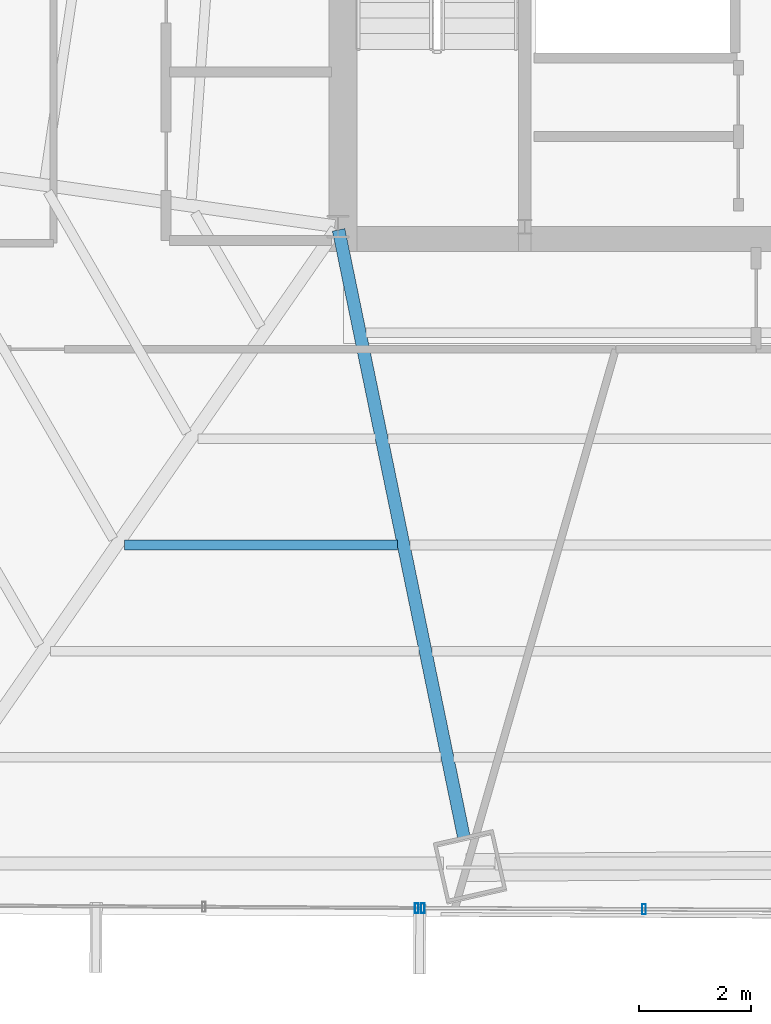
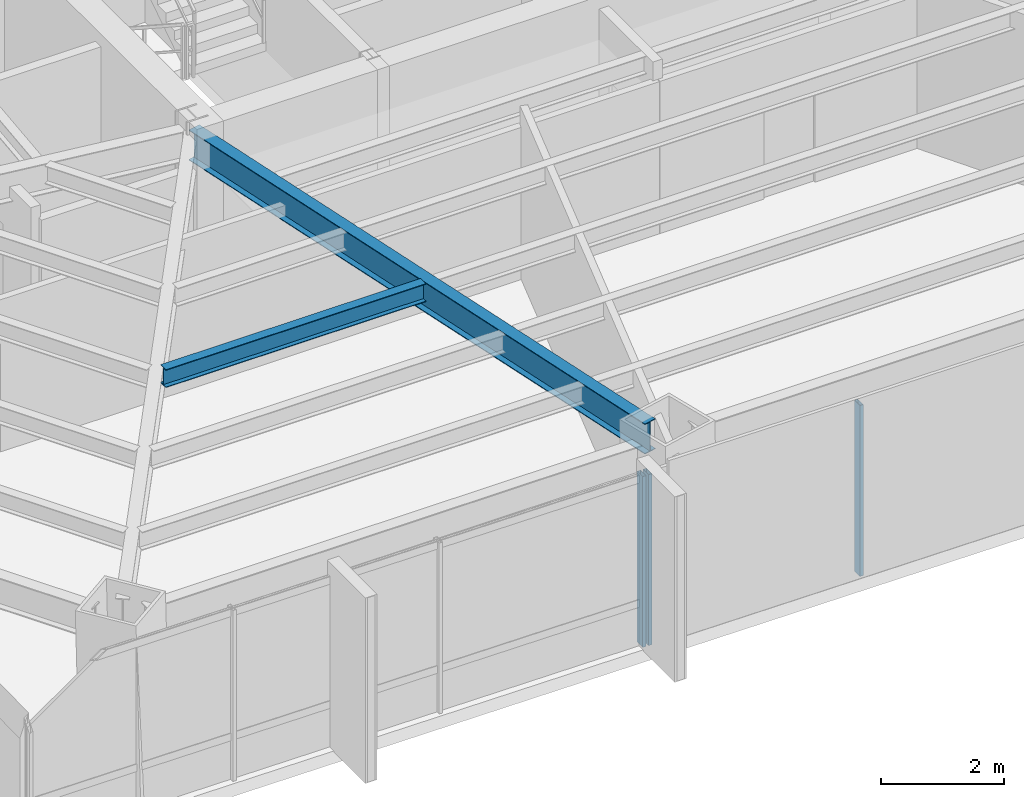
# One storey, part 8 of 36: 3 members, 2 beams, 2 elements without a shape of their own.
"""IFC4 building model written with IfcOpenShell, lengths in metres."""

import ifcopenshell
import ifcopenshell.guid

model = None  # the IFC model being written
_history = None  # IfcOwnerHistory: only IFC2X3 demands one
_inside = {}  # id of a spatial element -> (the spatial element, [elements in it])
_under = {}  # id of a project, library or spatial element -> (it, [spatial elements below it])
_declared = {}  # id of a project -> (the project, [libraries it declares])
_typed = {}  # id of a type object -> (the type object, [elements of that type])
_made_of = {}  # id of a material, layer set ... -> (it, [elements and type objects made of it])


def new_model(schema):
    """Start an empty IFC model of exactly this schema.

    Asked for "IFC4X3", IfcOpenShell would pick the latest addendum, in which some entities
    have other attributes; the version numbers below select the first issue.
    IFC2X3 requires an IfcOwnerHistory on every rooted entity: one is made here for all.
    """
    global model, _history
    if schema == "IFC4X3":
        model = ifcopenshell.file(schema_version=(4, 3, 0, 0))
    else:
        model = ifcopenshell.file(schema=schema)
    _inside.clear()
    _under.clear()
    _declared.clear()
    _typed.clear()
    _made_of.clear()
    _history = None
    if model.schema == "IFC2X3":
        org = make("IfcOrganization", Name="unknown")
        user = make(
            "IfcPersonAndOrganization",
            ThePerson=make("IfcPerson", FamilyName="unknown"),
            TheOrganization=org,
        )
        app = make(
            "IfcApplication",
            ApplicationDeveloper=org,
            Version="unknown",
            ApplicationFullName="unknown",
            ApplicationIdentifier="unknown",
        )
        _history = make(
            "IfcOwnerHistory",
            OwningUser=user,
            OwningApplication=app,
            ChangeAction="ADDED",
            CreationDate=0,
        )
    return model


def make(cls, **values):
    """One entity of the class cls with the attributes given. An attribute that is None is left unset."""
    return model.create_entity(
        cls, **{name: value for name, value in values.items() if value is not None}
    )


def rooted(cls, **values):
    """An entity with a GlobalId (a new one), such as an element, a storey or a relation."""
    return make(cls, GlobalId=ifcopenshell.guid.new(), OwnerHistory=_history, **values)


def si_unit(unit_type, name, prefix=None):
    """IfcSIUnit, for example si_unit("LENGTHUNIT", "METRE", prefix="MILLI")."""
    return make("IfcSIUnit", UnitType=unit_type, Prefix=prefix, Name=name)


def assignment(units):
    """IfcUnitAssignment: the units of a project."""
    return None if units is None else make("IfcUnitAssignment", Units=units)


def point(xyz):
    """IfcCartesianPoint."""
    return None if xyz is None else make("IfcCartesianPoint", Coordinates=xyz)


def direction(xyz):
    """IfcDirection."""
    return None if xyz is None else make("IfcDirection", DirectionRatios=xyz)


def frame(location, z_axis=None, x_axis=None):
    """IfcAxis2Placement3D, a coordinate frame: its origin and axes. An axis left out is left unset."""
    return make(
        "IfcAxis2Placement3D",
        Location=point(location),
        Axis=direction(z_axis),
        RefDirection=direction(x_axis),
    )


def frame_2d(location, x_axis=None):
    """IfcAxis2Placement2D, a coordinate frame in the plane: its origin and x axis."""
    return make(
        "IfcAxis2Placement2D", Location=point(location), RefDirection=direction(x_axis)
    )


def origin():
    """The frame at (0, 0, 0) with its axes left unset."""
    return frame((0.0, 0.0, 0.0))


def origin_2d():
    """The frame at (0, 0) in the plane with its x axis left unset."""
    return frame_2d((0.0, 0.0))


def place(relative_to, where):
    """IfcLocalPlacement: puts the frame where relative to a parent placement (None: the world)."""
    return make(
        "IfcLocalPlacement", PlacementRelTo=relative_to, RelativePlacement=where
    )


def context(
    kind, dimensions, precision=None, world=None, true_north=None, identifier=None
):
    """IfcGeometricRepresentationContext, for example the 3D "Model" context."""
    return make(
        "IfcGeometricRepresentationContext",
        ContextIdentifier=identifier,
        ContextType=kind,
        CoordinateSpaceDimension=dimensions,
        Precision=precision,
        WorldCoordinateSystem=world,
        TrueNorth=true_north,
    )


def subcontext(parent, identifier, kind, view, scale=None):
    """IfcGeometricRepresentationSubContext, for example "Body" below "Model"."""
    return make(
        "IfcGeometricRepresentationSubContext",
        ContextIdentifier=identifier,
        ContextType=kind,
        ParentContext=parent,
        TargetScale=scale,
        TargetView=view,
    )


def project(units=None, contexts=None):
    """IfcProject with its units and contexts."""
    return rooted(
        "IfcProject",
        Name="project",
        RepresentationContexts=contexts,
        UnitsInContext=assignment(units),
    )


def spatial(cls, under=None, at=None, **own):
    """A site, building, storey or space (cls), placed at a placement, below another one or the project."""
    s = rooted(cls, ObjectPlacement=at, **own)
    if under is not None:
        _under.setdefault(under.id(), (under, []))[1].append(s)
    return s


def profile(cls, at=None, kind="AREA", **sizes):
    """A parametric profile (cls). Its sizes go by their IFC names, for example OverallWidth=200.0."""
    return make(cls, ProfileType=kind, Position=at, **sizes)


def hollow_rectangle(**sizes):
    """IfcRectangleHollowProfileDef."""
    return profile("IfcRectangleHollowProfileDef", **sizes)


def i_section(**sizes):
    """IfcIShapeProfileDef."""
    return profile("IfcIShapeProfileDef", **sizes)


def extrude(swept, where, along, depth):
    """IfcExtrudedAreaSolid: the profile swept, set in the frame where, extruded along a direction by depth."""
    return make(
        "IfcExtrudedAreaSolid",
        SweptArea=swept,
        Position=where,
        ExtrudedDirection=direction(along),
        Depth=depth,
    )


def shape(context_of_items, identifier, shape_type, items):
    """IfcShapeRepresentation: the items that make up one representation, for example the "Body"."""
    return make(
        "IfcShapeRepresentation",
        ContextOfItems=context_of_items,
        RepresentationIdentifier=identifier,
        RepresentationType=shape_type,
        Items=items,
    )


def source(mapping_origin, context_of_items, identifier, shape_type, items):
    """IfcRepresentationMap: a shape defined once, which mapped items show again and again."""
    return make(
        "IfcRepresentationMap",
        MappingOrigin=mapping_origin,
        MappedRepresentation=shape(context_of_items, identifier, shape_type, items),
    )


def transform(
    local_origin,
    x_axis=None,
    y_axis=None,
    z_axis=None,
    scale=None,
    scale2=None,
    scale3=None,
    uniform=True,
):
    """IfcCartesianTransformationOperator3D, or its non-uniform kind. x_axis, y_axis, z_axis: its Axis1, 2, 3."""
    if uniform:
        return make(
            "IfcCartesianTransformationOperator3D",
            Axis1=direction(x_axis),
            Axis2=direction(y_axis),
            LocalOrigin=point(local_origin),
            Scale=scale,
            Axis3=direction(z_axis),
        )
    return make(
        "IfcCartesianTransformationOperator3DnonUniform",
        Axis1=direction(x_axis),
        Axis2=direction(y_axis),
        LocalOrigin=point(local_origin),
        Scale=scale,
        Axis3=direction(z_axis),
        Scale2=scale2,
        Scale3=scale3,
    )


def mapped(mapping_source, mapping_target):
    """IfcMappedItem: shows the shape of a source again, moved by a transform."""
    return make(
        "IfcMappedItem", MappingSource=mapping_source, MappingTarget=mapping_target
    )


def material(Name=None, Category=None):
    """IfcMaterial."""
    return make("IfcMaterial", Name=Name, Category=Category)


def material_profile(
    of_material, cross_section, Name=None, Category=None, Priority=None
):
    """IfcMaterialProfile: a cross section and its material."""
    return make(
        "IfcMaterialProfile",
        Name=Name,
        Material=of_material,
        Profile=cross_section,
        Priority=Priority,
        Category=Category,
    )


def profile_set(profiles, Name=None, composite=None):
    """IfcMaterialProfileSet."""
    return make(
        "IfcMaterialProfileSet",
        Name=Name,
        MaterialProfiles=profiles,
        CompositeProfile=composite,
    )


def made_of(thing, what):
    """Note that an element or type object is made of a material, layer set ...; save() writes the relation."""
    if what is not None:
        _made_of.setdefault(what.id(), (what, []))[1].append(thing)
    return thing


def type_object(cls, material=None, **own):
    """A type object (cls), such as IfcWallType, which elements share."""
    return made_of(rooted(cls, **own), material)


def type_shapes(of_type, sources):
    """Give a type object the sources (RepresentationMaps) that its elements show as mapped items."""
    of_type.RepresentationMaps = sources


def element(
    cls,
    number,
    at=None,
    inside=None,
    cuts=None,
    type_object=None,
    material=None,
    context=None,
    identifier="Body",
    shape_type=None,
    held_by="IfcProductDefinitionShape",
    body=None,
    shapes=None,
    **own,
):
    """One element of the class cls, such as IfcWall. Its Tag is "e" and its number.

    at: its placement. inside: the storey or other place that contains it. cuts: it is an
    opening in that element (IfcRelVoidsElement). A single representation is given by context,
    identifier, shape_type and body (its items); several are given by shapes. held_by: the class
    of the entity that holds the representations. save() writes the other relations.
    """
    e = rooted(cls, Tag="e%d" % number, ObjectPlacement=at, **own)
    if body is not None:
        shapes = [shape(context, identifier, shape_type, body)]
    if shapes is not None:
        e.Representation = make(held_by, Representations=shapes)
    if inside is not None:
        _inside.setdefault(inside.id(), (inside, []))[1].append(e)
    if cuts is not None:
        rooted(
            "IfcRelVoidsElement", RelatingBuildingElement=cuts, RelatedOpeningElement=e
        )
    if type_object is not None:
        _typed.setdefault(type_object.id(), (type_object, []))[1].append(e)
    return made_of(e, material)


def aggregate(whole, parts):
    """IfcRelAggregates: a whole, such as a stair, and the parts it consists of."""
    return rooted("IfcRelAggregates", RelatingObject=whole, RelatedObjects=parts)


def save(model, path):
    """Write the relations noted so far, then the file.

    IfcRelAggregates (storeys below a building ...), IfcRelContainedInSpatialStructure (elements
    in a storey), IfcRelDefinesByType, IfcRelAssociatesMaterial and IfcRelDeclares: one each for
    every whole, place, type object, material and project.
    """
    for whole, parts in _under.values():
        aggregate(whole, parts)
    for where, things in _inside.values():
        rooted(
            "IfcRelContainedInSpatialStructure",
            RelatedElements=things,
            RelatingStructure=where,
        )
    for kind, things in _typed.values():
        rooted("IfcRelDefinesByType", RelatedObjects=things, RelatingType=kind)
    for what, things in _made_of.values():
        rooted("IfcRelAssociatesMaterial", RelatedObjects=things, RelatingMaterial=what)
    for by, libraries in _declared.values():
        rooted("IfcRelDeclares", RelatingContext=by, RelatedDefinitions=libraries)
    model.write(path)


model = new_model("IFC4")

# Units and contexts
model_context = context("Model", 3, precision=1e-05, world=origin(), true_north=direction((0.0, 1.0)))
body_context = subcontext(model_context, "Body", "Model", "MODEL_VIEW")
ifc_project = project(units=[si_unit("LENGTHUNIT", "METRE"), si_unit("AREAUNIT", "SQUARE_METRE"), si_unit("VOLUMEUNIT", "CUBIC_METRE"), si_unit("PLANEANGLEUNIT", "RADIAN"), si_unit("MASSUNIT", "GRAM", prefix="KILO")], contexts=[model_context])

# Site, building, storey
site_placement = place(None, origin())
site = spatial("IfcSite", under=ifc_project, at=site_placement, CompositionType="ELEMENT")
building_placement = place(site_placement, origin())
building = spatial("IfcBuilding", under=site, at=building_placement, Name="Caelisora Broadcast Tower", CompositionType="ELEMENT")
storey_placement = place(building_placement, frame((0.0, 0.0, 83.5)))
storey = spatial("IfcBuildingStorey", under=building, at=storey_placement, Name="L21", CompositionType="ELEMENT", Elevation=83.5)

# Beams
ifc_material_1 = material(Name="Steel Grade 350 (AS/NZS 3679.1)", Category="steel")
ifc_material_profile_1 = material_profile(ifc_material_1, i_section(OverallWidth=0.22802734375, OverallDepth=0.602294921875, WebThickness=0.010498046875, FlangeThickness=0.014892578125, at=origin_2d()), Name="Steel Grade 350 (AS/NZS 3679.1)")
ifc_profile_set_1 = profile_set([ifc_material_profile_1], Name="Steel Grade 350 (AS/NZS 3679.1)")
beam_type_1 = type_object("IfcBeamType", Name="PG04", PredefinedType="BEAM", material=ifc_profile_set_1)
shared_shape_1 = source(origin(), body_context, "Body", "SweptSolid", [
    extrude(i_section(OverallWidth=0.22802734375, OverallDepth=0.602294921875, WebThickness=0.010498046875, FlangeThickness=0.014892578125, at=origin_2d()), origin(), (0.0, 0.0, 1.0), 11.180908203125),
])
type_shapes(beam_type_1, [shared_shape_1])
beam_1_placement = place(storey_placement, frame((30.51220703125, 17.34130859375, 3.098876953125), z_axis=(0.201978829994, -0.979389887754, 0.0), x_axis=(0.979389887754, 0.201978829994, 0.0)))
element("IfcBeam", 1, at=beam_1_placement, inside=storey, type_object=beam_type_1, Name="L21 beam PG04", PredefinedType="BEAM", context=body_context, shape_type="MappedRepresentation", body=[
    mapped(shared_shape_1, transform((0.0, 0.0, 0.0), scale=1.0)),
])
ifc_material_profile_2 = material_profile(ifc_material_1, i_section(OverallWidth=0.172119140625, OverallDepth=0.358642578125, WebThickness=0.008056640625, FlangeThickness=0.012939453125, at=origin_2d()), Name="Steel Grade 350 (AS/NZS 3679.1)")
ifc_profile_set_2 = profile_set([ifc_material_profile_2], Name="Steel Grade 350 (AS/NZS 3679.1)")
beam_type_2 = type_object("IfcBeamType", Name="SB02", PredefinedType="JOIST", material=ifc_profile_set_2)
shared_shape_2 = source(origin(), body_context, "Body", "SweptSolid", [
    extrude(i_section(OverallWidth=0.172119140625, OverallDepth=0.358642578125, WebThickness=0.008056640625, FlangeThickness=0.012939453125, at=origin_2d()), origin(), (0.0, 0.0, 1.0), 4.8955078125),
])
type_shapes(beam_type_2, [shared_shape_2])
beam_2_placement = place(storey_placement, frame((26.668701171875, 11.689697265625, 3.220703125), z_axis=(1.0, 0.0, 0.0), x_axis=(0.0, 1.0, 0.0)))
element("IfcBeam", 2, at=beam_2_placement, inside=storey, type_object=beam_type_2, Name="L21 beam SB02", PredefinedType="JOIST", context=body_context, shape_type="MappedRepresentation", body=[
    mapped(shared_shape_2, transform((0.0, 0.0, 0.0), scale=1.0)),
])

# Curtain wall, members
ifc_material_2 = material(Name="Unitised Aluminium Insulated Shadow-Box Spandrel Curtain Wall", Category="aluminium")
curtain_wall_type_1 = type_object("IfcCurtainWallType", Name="CW-SP1", PredefinedType="NOTDEFINED", material=ifc_material_2)
curtain_wall_1_placement = place(storey_placement, origin())
curtain_wall_1 = element("IfcCurtainWall", 3, at=curtain_wall_1_placement, inside=storey, type_object=curtain_wall_type_1, Name="L21 curtain wall CW-SP1", PredefinedType="NOTDEFINED")
ifc_material_3 = material(Name="Aluminium 6063-T6 Anodised Terracotta Bronze", Category="aluminium")
ifc_material_profile_3 = material_profile(ifc_material_3, hollow_rectangle(XDim=0.06494140625, YDim=0.179931640625, WallThickness=0.00341796875, at=origin_2d()), Name="Aluminium 6063-T6 Anodised Terracotta Bronze")
ifc_profile_set_3 = profile_set([ifc_material_profile_3], Name="Aluminium 6063-T6 Anodised Terracotta Bronze")
member_type = type_object("IfcMemberType", Name="CWM-02", PredefinedType="MULLION", material=ifc_profile_set_3)
shared_shape_3 = source(origin(), body_context, "Body", "SweptSolid", [
    extrude(hollow_rectangle(XDim=0.06494140625, YDim=0.179931640625, WallThickness=0.00341796875, at=origin_2d()), origin(), (0.0, 0.0, 1.0), 3.39990234375),
])
type_shapes(member_type, [shared_shape_3])
member_1_placement = place(storey_placement, frame((35.988037109375, 5.15771484375, 0.0), z_axis=(0.0, 0.0, 1.0), x_axis=(1.0, 0.0, 0.0)))
member_1 = element("IfcMember", 4, at=member_1_placement, type_object=member_type, Name="L21-CW-B06 mullion #2", PredefinedType="MULLION", context=body_context, shape_type="MappedRepresentation", body=[
    mapped(shared_shape_3, transform((0.0, 0.0, 0.0), scale=1.0)),
])
member_2_placement = place(storey_placement, frame((32.022705078125, 5.1796875, 0.0), z_axis=(0.0, 0.0, 1.0), x_axis=(1.0, 0.0, 0.0)))
member_2 = element("IfcMember", 5, at=member_2_placement, type_object=member_type, Name="L21-CW-B06 mullion #3", PredefinedType="MULLION", context=body_context, shape_type="MappedRepresentation", body=[
    mapped(shared_shape_3, transform((0.0, 0.0, 0.0), scale=1.0)),
])
aggregate(curtain_wall_1, [member_1, member_2])

# Curtain wall, member
ifc_material_4 = material(Name="Unitised Aluminium and Low-E Glass Curtain Wall", Category="glass")
curtain_wall_type_2 = type_object("IfcCurtainWallType", Name="CW-Z2", PredefinedType="NOTDEFINED", material=ifc_material_4)
curtain_wall_2_placement = place(storey_placement, origin())
curtain_wall_2 = element("IfcCurtainWall", 6, at=curtain_wall_2_placement, inside=storey, type_object=curtain_wall_type_2, Name="L21 curtain wall CW-Z2", PredefinedType="NOTDEFINED")
member_3_placement = place(storey_placement, frame((31.91259765625, 5.180419921875, 0.0), z_axis=(0.0, 0.0, 1.0), x_axis=(1.0, 0.0, 0.0)))
member_3 = element("IfcMember", 7, at=member_3_placement, type_object=member_type, Name="L21-CW-B07 mullion #0", PredefinedType="MULLION", context=body_context, shape_type="MappedRepresentation", body=[
    mapped(shared_shape_3, transform((0.0, 0.0, 0.0), scale=1.0)),
])
aggregate(curtain_wall_2, [member_3])

save(model, "model.ifc")
